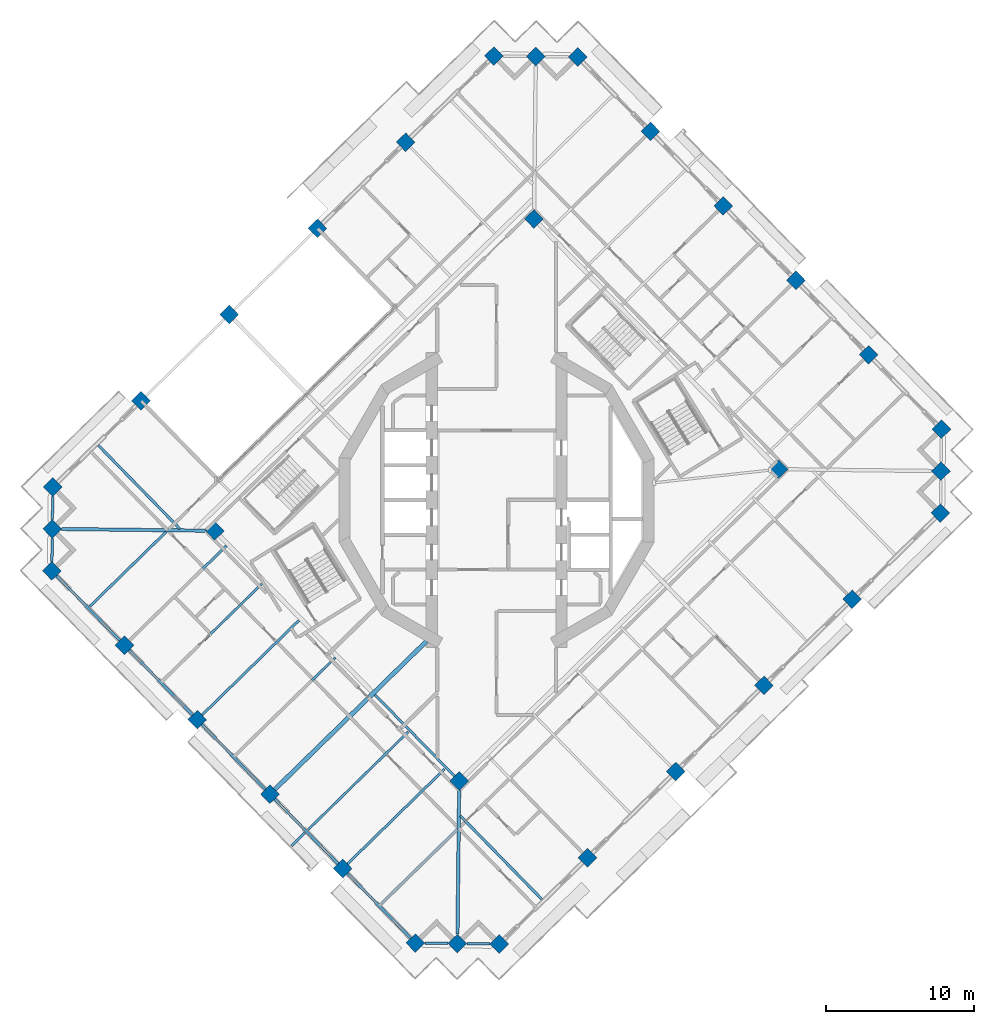
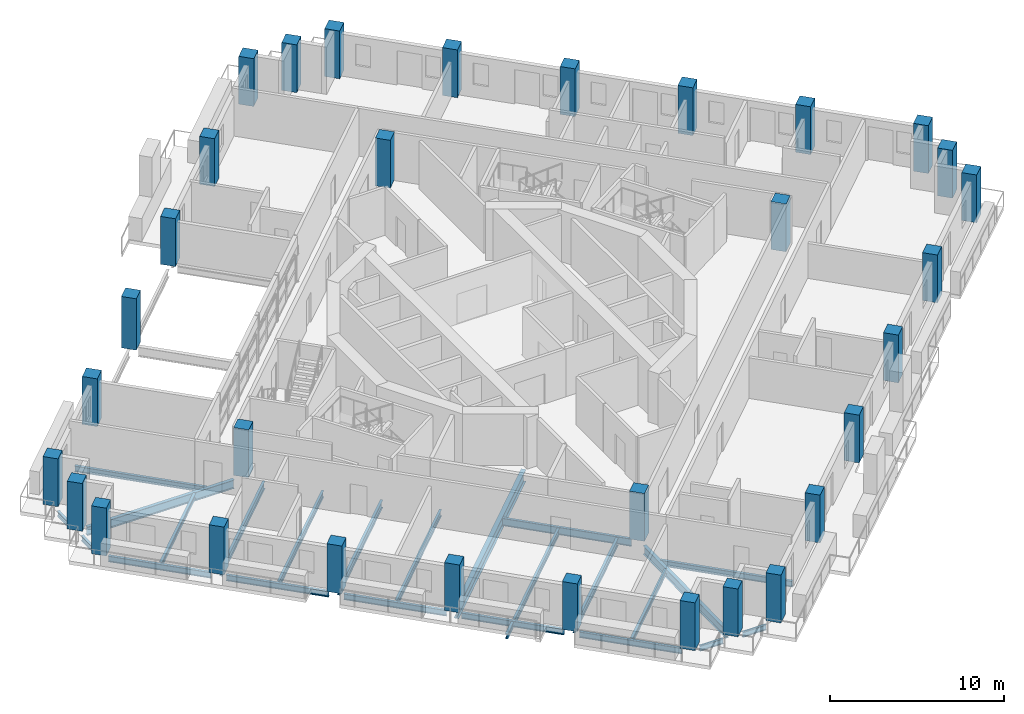
# One storey, part 1 of 21: 32 columns, 24 beams.
"""IFC4 building model written with IfcOpenShell, lengths in metres."""

from ifc_helpers import new_model, si_unit, direction, frame, origin, origin_2d, place, context, subcontext, project, spatial, rectangle, i_section, extrude, material, material_profile, profile_set, type_object, element, save


model = new_model("IFC4")

# Units and contexts
model_context = context("Model", 3, precision=1e-05, world=origin(), true_north=direction((0.0, 1.0)))
body_context = subcontext(model_context, "Body", "Model", "MODEL_VIEW")
ifc_project = project(units=[si_unit("LENGTHUNIT", "METRE"), si_unit("AREAUNIT", "SQUARE_METRE"), si_unit("VOLUMEUNIT", "CUBIC_METRE"), si_unit("PLANEANGLEUNIT", "RADIAN"), si_unit("MASSUNIT", "GRAM", prefix="KILO")], contexts=[model_context])

# Site, building, storey
site_placement = place(None, origin())
site = spatial("IfcSite", under=ifc_project, at=site_placement, CompositionType="ELEMENT")
building_placement = place(site_placement, origin())
building = spatial("IfcBuilding", under=site, at=building_placement, Name="Cantera Rosa Tower", CompositionType="ELEMENT")
storey_placement = place(building_placement, frame((0.0, 0.0, 234.199951171875)))
storey = spatial("IfcBuildingStorey", under=building, at=storey_placement, Name="L51", CompositionType="ELEMENT", Elevation=234.199951171875)

# Columns
ifc_material_1 = material(Name="Concrete C60/75", Category="concrete")
ifc_material_profile_1 = material_profile(ifc_material_1, rectangle(XDim=0.89990234375, YDim=0.89990234375, at=origin_2d()), Name="RC COLUMN RC900X900 C60/75")
ifc_profile_set_1 = profile_set([ifc_material_profile_1], Name="Concrete C60/75")
column_type_1 = type_object("IfcColumnType", Name="RC COLUMN RC900X900 C60/75", PredefinedType="COLUMN", material=ifc_profile_set_1)
for number, where, z_axis, x_axis, name in (
    (1, (30.003662109375, 4.77783203125, 0.0), (0.0, 0.0, 1.0), (0.71528629107, 0.698831540364, 0.0), "C-Z4-01 L51"),
    (2, (25.097900390625, 9.799072265625, 0.0), (0.0, 0.0, 1.0), (0.71528629107, 0.698831540364, 0.0), "C-Z4-02 L51"),
    (3, (20.19189453125, 14.8203125, 0.0), (0.0, 0.0, 1.0), (0.71528629107, 0.698831540364, 0.0), "C-Z4-03 L51"),
    (4, (15.2861328125, 19.841796875, 0.0), (0.0, 0.0, 1.0), (0.71528629107, 0.698831540364, 0.0), "C-Z4-04 L51"),
    (5, (10.38037109375, 24.863037109375, 0.0), (0.0, 0.0, 1.0), (0.71528629107, 0.698831540364, 0.0), "C-Z4-05 L51"),
    (6, (5.474609375, 29.88427734375, 0.0), (0.0, 0.0, 1.0), (0.71528629107, 0.698831540364, 0.0), "C-Z4-06 L51"),
    (7, (2.646484375, 29.917236328125, 0.0), (0.0, 0.0, 1.0), (0.71528629107, 0.698831540364, 0.0), "C-Z4-07 L51"),
    (8, (-0.181884765625, 29.9501953125, 0.0), (0.0, 0.0, 1.0), (0.71528629107, 0.698831540364, 0.0), "C-Z4-08 L51"),
    (9, (-6.133056640625, 24.1357421875, 0.0), (0.0, 0.0, 1.0), (0.71528629107, 0.698831540364, 0.0), "C-Z4-09 L51"),
    (10, (-12.084228515625, 18.321533203125, 0.0), (0.0, 0.0, 1.0), (0.71528629107, 0.698831540364, 0.0), "C-Z4-10 L51"),
):
    element("IfcColumn", number, at=place(storey_placement, frame(where, z_axis=z_axis, x_axis=x_axis)), inside=storey, type_object=column_type_1, Name=name, PredefinedType="COLUMN", context=body_context, shape_type="SweptSolid", body=[
        extrude(rectangle(XDim=0.89990234375, YDim=0.89990234375, at=origin_2d()), origin(), (0.0, 0.0, 1.0), 3.35009765625),
    ])
column_placement = place(storey_placement, frame((-18.035400390625, 12.50732421875, -0.25), z_axis=(0.0, 0.0, 1.0), x_axis=(0.71528629107, 0.698831540364, 0.0)))
element("IfcColumn", 11, at=column_placement, inside=storey, type_object=column_type_1, Name="C-Z4-11 L51", PredefinedType="COLUMN", context=body_context, shape_type="SweptSolid", body=[
    extrude(rectangle(XDim=0.89990234375, YDim=0.89990234375, at=origin_2d()), origin(), (0.0, 0.0, 1.0), 3.60009765625),
])
for number, where, z_axis, x_axis, name in (
    (12, (-23.986572265625, 6.693115234375, 0.0), (0.0, 0.0, 1.0), (0.71528629107, 0.698831540364, 0.0), "C-Z4-12 L51"),
    (13, (-29.937744140625, 0.878662109375, 0.0), (0.0, 0.0, 1.0), (0.71528629107, 0.698831540364, 0.0), "C-Z4-13 L51"),
    (14, (-29.970703125, -1.949462890625, 0.0), (0.0, 0.0, 1.0), (0.71528629107, 0.698831540364, 0.0), "C-Z4-14 L51"),
    (15, (-30.003662109375, -4.77783203125, 0.0), (0.0, 0.0, 1.0), (0.71528629107, 0.698831540364, 0.0), "C-Z4-15 L51"),
    (16, (-25.097900390625, -9.799072265625, 0.0), (0.0, 0.0, 1.0), (0.71528629107, 0.698831540364, 0.0), "C-Z4-16 L51"),
    (17, (-20.19189453125, -14.8203125, 0.0), (0.0, 0.0, 1.0), (0.71528629107, 0.698831540364, 0.0), "C-Z4-17 L51"),
    (18, (-15.2861328125, -19.841796875, 0.0), (0.0, 0.0, 1.0), (0.71528629107, 0.698831540364, 0.0), "C-Z4-18 L51"),
    (19, (-10.38037109375, -24.863037109375, 0.0), (0.0, 0.0, 1.0), (0.71528629107, 0.698831540364, 0.0), "C-Z4-19 L51"),
    (20, (-5.474609375, -29.88427734375, 0.0), (0.0, 0.0, 1.0), (0.71528629107, 0.698831540364, 0.0), "C-Z4-20 L51"),
    (21, (-2.646484375, -29.917236328125, 0.0), (0.0, 0.0, 1.0), (0.71528629107, 0.698831540364, 0.0), "C-Z4-21 L51"),
    (22, (0.181884765625, -29.9501953125, 0.0), (0.0, 0.0, 1.0), (0.71528629107, 0.698831540364, 0.0), "C-Z4-22 L51"),
    (23, (6.133056640625, -24.1357421875, 0.0), (0.0, 0.0, 1.0), (0.71528629107, 0.698831540364, 0.0), "C-Z4-23 L51"),
    (24, (12.084228515625, -18.321533203125, 0.0), (0.0, 0.0, 1.0), (0.71528629107, 0.698831540364, 0.0), "C-Z4-24 L51"),
    (25, (18.035400390625, -12.50732421875, 0.0), (0.0, 0.0, 1.0), (0.71528629107, 0.698831540364, 0.0), "C-Z4-25 L51"),
    (26, (23.986572265625, -6.693115234375, 0.0), (0.0, 0.0, 1.0), (0.71528629107, 0.698831540364, 0.0), "C-Z4-26 L51"),
    (27, (29.937744140625, -0.878662109375, 0.0), (0.0, 0.0, 1.0), (0.71528629107, 0.698831540364, 0.0), "C-Z4-27 L51"),
    (28, (29.970703125, 1.949462890625, 0.0), (0.0, 0.0, 1.0), (0.71528629107, 0.698831540364, 0.0), "C-Z4-28 L51"),
):
    element("IfcColumn", number, at=place(storey_placement, frame(where, z_axis=z_axis, x_axis=x_axis)), inside=storey, type_object=column_type_1, Name=name, PredefinedType="COLUMN", context=body_context, shape_type="SweptSolid", body=[
        extrude(rectangle(XDim=0.89990234375, YDim=0.89990234375, at=origin_2d()), origin(), (0.0, 0.0, 1.0), 3.35009765625),
    ])
ifc_material_2 = material(Name="Concrete C60/75", Category="concrete")
ifc_material_profile_2 = material_profile(ifc_material_2, rectangle(XDim=0.89990234375, YDim=0.89990234375, at=origin_2d()), Name="RC RING COLUMN RC900X900 C60/75")
ifc_profile_set_2 = profile_set([ifc_material_profile_2], Name="Concrete C60/75")
column_type_2 = type_object("IfcColumnType", Name="RC RING COLUMN RC900X900 C60/75", PredefinedType="COLUMN", material=ifc_profile_set_2)
for number, where, z_axis, x_axis, name in (
    (29, (2.518798828125, 18.957763671875, 0.0), (0.0, 0.0, 1.0), (0.71528629107, 0.698831540364, 0.0), "CI-Z4-1 L51"),
    (30, (-19.01123046875, -2.0771484375, 0.0), (0.0, 0.0, 1.0), (0.71528629107, 0.698831540364, 0.0), "CI-Z4-2 L51"),
    (31, (-2.518798828125, -18.957763671875, 0.0), (0.0, 0.0, 1.0), (0.71528629107, 0.698831540364, 0.0), "CI-Z4-3 L51"),
    (32, (19.01123046875, 2.0771484375, 0.0), (0.0, 0.0, 1.0), (0.71528629107, 0.698831540364, 0.0), "CI-Z4-4 L51"),
):
    element("IfcColumn", number, at=place(storey_placement, frame(where, z_axis=z_axis, x_axis=x_axis)), inside=storey, type_object=column_type_2, Name=name, PredefinedType="COLUMN", context=body_context, shape_type="SweptSolid", body=[
        extrude(rectangle(XDim=0.89990234375, YDim=0.89990234375, at=origin_2d()), origin(), (0.0, 0.0, 1.0), 3.35009765625),
    ])

# Beams
ifc_material_3 = material(Name="Steel ASTM A992 (Fy 345 MPa)", Category="steel")
ifc_material_profile_3 = material_profile(ifc_material_3, i_section(OverallWidth=0.166015625, OverallDepth=0.528076171875, WebThickness=0.009765625, FlangeThickness=0.013671875, FilletRadius=0.0126953125, at=origin_2d()), Name="W530X74")
ifc_profile_set_3 = profile_set([ifc_material_profile_3], Name="Steel ASTM A992 (Fy 345 MPa)")
beam_type_1 = type_object("IfcBeamType", Name="STEEL BEAM W530X74", PredefinedType="BEAM", material=ifc_profile_set_3)
for number, where, z_axis, x_axis, name in (
    (33, (-24.77587890625, -9.484619140625, -0.513916015625), (0.71529025682, 0.698827481213, 0.0), (-0.698827481213, 0.71529025682, 0.0), "G-Z4-13 L51"),
    (34, (-19.8701171875, -14.505859375, -0.513916015625), (0.71529025682, 0.698827481213, 0.0), (-0.698827481213, 0.71529025682, 0.0), "G-Z4-14 L51"),
    (35, (-10.05859375, -24.548583984375, -0.513916015625), (0.71529025682, 0.698827481213, 0.0), (-0.698827481213, 0.71529025682, 0.0), "G-Z4-16 L51"),
):
    element("IfcBeam", number, at=place(storey_placement, frame(where, z_axis=z_axis, x_axis=x_axis)), inside=storey, type_object=beam_type_1, Name=name, PredefinedType="BEAM", context=body_context, shape_type="SweptSolid", body=[
        extrude(i_section(OverallWidth=0.166015625, OverallDepth=0.528076171875, WebThickness=0.009765625, FlangeThickness=0.013671875, FilletRadius=0.0126953125, at=origin_2d()), origin(), (0.0, 0.0, 1.0), 9.14990234375),
    ])
beam_1_placement = place(storey_placement, frame((-2.833251953125, -18.635986328125, -0.513916015625), z_axis=(-0.698820376914, 0.71529719754, 0.0), x_axis=(-0.71529719754, -0.698820376914, 0.0)))
element("IfcBeam", 36, at=beam_1_placement, inside=storey, type_object=beam_type_1, Name="RB-Z4-06 L51", PredefinedType="BEAM", context=body_context, shape_type="SweptSolid", body=[
    extrude(i_section(OverallWidth=0.166015625, OverallDepth=0.528076171875, WebThickness=0.009765625, FlangeThickness=0.013671875, FilletRadius=0.0126953125, at=origin_2d()), origin(), (0.0, 0.0, 1.0), 7.690185546875),
])
ifc_material_4 = material(Name="Steel ASTM A992 (Fy 345 MPa)", Category="steel")
ifc_material_profile_4 = material_profile(ifc_material_4, i_section(OverallWidth=0.22802734375, OverallDepth=0.60205078125, WebThickness=0.010498046875, FlangeThickness=0.014892578125, FilletRadius=0.0126953125, at=origin_2d()), Name="W610X101")
ifc_profile_set_4 = profile_set([ifc_material_profile_4], Name="Steel ASTM A992 (Fy 345 MPa)")
beam_type_2 = type_object("IfcBeamType", Name="STEEL BEAM W610X101", PredefinedType="BEAM", material=ifc_profile_set_4)
for number, where, z_axis, x_axis, name in (
    (37, (-29.334228515625, -1.95703125, -0.551025390625), (0.999932504919, -0.011618330597, 0.0), (0.011618330597, 0.999932504919, 0.0), "CB-Z4-02 L51"),
    (38, (-2.638916015625, -29.28076171875, -0.551025390625), (0.011618330597, 0.999932504919, 0.0), (-0.999932504919, 0.011618330597, 0.0), "CB-Z4-03 L51"),
):
    element("IfcBeam", number, at=place(storey_placement, frame(where, z_axis=z_axis, x_axis=x_axis)), inside=storey, type_object=beam_type_2, Name=name, PredefinedType="BEAM", context=body_context, shape_type="SweptSolid", body=[
        extrude(i_section(OverallWidth=0.22802734375, OverallDepth=0.60205078125, WebThickness=0.010498046875, FlangeThickness=0.014892578125, FilletRadius=0.0126953125, at=origin_2d()), origin(), (0.0, 0.0, 1.0), 9.687255859375),
    ])
ifc_material_5 = material(Name="Steel ASTM A992 (Fy 345 MPa)", Category="steel")
ifc_material_profile_5 = material_profile(ifc_material_5, i_section(OverallWidth=0.2919921875, OverallDepth=0.8359375, WebThickness=0.013916015625, FlangeThickness=0.018798828125, FilletRadius=0.017822265625, at=origin_2d()), Name="W840X176")
ifc_profile_set_5 = profile_set([ifc_material_profile_5], Name="Steel ASTM A992 (Fy 345 MPa)")
beam_type_3 = type_object("IfcBeamType", Name="STEEL BEAM W840X176", PredefinedType="BEAM", material=ifc_profile_set_5)
beam_2_placement = place(storey_placement, frame((-14.96435546875, -19.527099609375, -0.66796875), z_axis=(0.715288446628, 0.698829334045, 0.0), x_axis=(-0.698829334045, 0.715288446628, 0.0)))
element("IfcBeam", 39, at=beam_2_placement, inside=storey, type_object=beam_type_3, Name="G-Z4-15 L51", PredefinedType="BEAM", context=body_context, shape_type="SweptSolid", body=[
    extrude(i_section(OverallWidth=0.2919921875, OverallDepth=0.8359375, WebThickness=0.013916015625, FlangeThickness=0.018798828125, FilletRadius=0.017822265625, at=origin_2d()), origin(), (0.0, 0.0, 1.0), 14.299072265625),
])
ifc_material_6 = material(Name="Steel ASTM A992 (Fy 345 MPa)", Category="steel")
ifc_material_profile_6 = material_profile(ifc_material_6, i_section(OverallWidth=0.1708984375, OverallDepth=0.35595703125, WebThickness=0.00732421875, FlangeThickness=0.01171875, FilletRadius=0.010009765625, at=origin_2d()), Name="W360X51")
ifc_profile_set_6 = profile_set([ifc_material_profile_6], Name="Steel ASTM A992 (Fy 345 MPa)")
beam_type_4 = type_object("IfcBeamType", Name="STEEL JOIST W360X51", PredefinedType="JOIST", material=ifc_profile_set_6)
for number, where, z_axis, x_axis, name in (
    (40, (-27.443359375, -7.18359375, -0.427978515625), (0.715287213552, 0.69883059616, 0.0), (-0.69883059616, 0.715287213552, 0.0), "B-Z4-16 L51"),
    (41, (-7.8203125, -27.268798828125, -0.427978515625), (0.715287213552, 0.69883059616, 0.0), (-0.69883059616, 0.715287213552, 0.0), "B-Z4-20 L51"),
):
    element("IfcBeam", number, at=place(storey_placement, frame(where, z_axis=z_axis, x_axis=x_axis)), inside=storey, type_object=beam_type_4, Name=name, PredefinedType="JOIST", context=body_context, shape_type="SweptSolid", body=[
        extrude(i_section(OverallWidth=0.1708984375, OverallDepth=0.35595703125, WebThickness=0.00732421875, FlangeThickness=0.01171875, FilletRadius=0.010009765625, at=origin_2d()), origin(), (0.0, 0.0, 1.0), 7.2099609375),
    ])
beam_3_placement = place(storey_placement, frame((-12.92626953125, -22.443115234375, -0.427978515625), z_axis=(-0.715266175044, -0.698852129451, 0.0), x_axis=(0.698852129451, -0.715266175044, 0.0)))
element("IfcBeam", 42, at=beam_3_placement, inside=storey, type_object=beam_type_4, Name="BS-Z4-16 L51", PredefinedType="JOIST", context=body_context, shape_type="SweptSolid", body=[
    extrude(i_section(OverallWidth=0.1708984375, OverallDepth=0.35595703125, WebThickness=0.00732421875, FlangeThickness=0.01171875, FilletRadius=0.010009765625, at=origin_2d()), origin(), (0.0, 0.0, 1.0), 1.26416015625),
])
ifc_material_7 = material(Name="Steel ASTM A992 (Fy 345 MPa)", Category="steel")
ifc_material_profile_7 = material_profile(ifc_material_7, i_section(OverallWidth=0.177978515625, OverallDepth=0.406005859375, WebThickness=0.0078125, FlangeThickness=0.0126953125, FilletRadius=0.01025390625, at=origin_2d()), Name="W410X60")
ifc_profile_set_7 = profile_set([ifc_material_profile_7], Name="Steel ASTM A992 (Fy 345 MPa)")
beam_type_5 = type_object("IfcBeamType", Name="STEEL JOIST W410X60", PredefinedType="JOIST", material=ifc_profile_set_7)
for number, where, z_axis, x_axis, name in (
    (43, (-26.857421875, 3.678466796875, -0.452880859375), (0.698843394481, -0.715274709458, 0.0), (0.715274709458, 0.698843394481, 0.0), "B-Z4-10 L51"),
    (44, (3.052734375, -26.935791015625, -0.452880859375), (-0.698827868311, 0.715289878631, 0.0), (-0.715289878631, -0.698827868311, 0.0), "B-Z4-11 L51"),
):
    element("IfcBeam", number, at=place(storey_placement, frame(where, z_axis=z_axis, x_axis=x_axis)), inside=storey, type_object=beam_type_5, Name=name, PredefinedType="JOIST", context=body_context, shape_type="SweptSolid", body=[
        extrude(i_section(OverallWidth=0.177978515625, OverallDepth=0.406005859375, WebThickness=0.0078125, FlangeThickness=0.0126953125, FilletRadius=0.01025390625, at=origin_2d()), origin(), (0.0, 0.0, 1.0), 7.860107421875),
    ])
ifc_material_8 = material(Name="Steel ASTM A992 (Fy 345 MPa)", Category="steel")
ifc_material_profile_8 = material_profile(ifc_material_8, i_section(OverallWidth=0.154052734375, OverallDepth=0.4599609375, WebThickness=0.009033203125, FlangeThickness=0.015380859375, FilletRadius=0.01025390625, at=origin_2d()), Name="W460X68")
ifc_profile_set_8 = profile_set([ifc_material_profile_8], Name="Steel ASTM A992 (Fy 345 MPa)")
beam_type_6 = type_object("IfcBeamType", Name="STEEL JOIST W460X68", PredefinedType="JOIST", material=ifc_profile_set_8)
for number, where, z_axis, x_axis, name in (
    (45, (-22.53759765625, -12.204833984375, -0.47998046875), (0.715287278354, 0.698830529832, 0.0), (-0.698830529832, 0.715287278354, 0.0), "B-Z4-17 L51"),
    (46, (-17.6318359375, -17.226318359375, -0.47998046875), (0.715287278354, 0.698830529832, 0.0), (-0.698830529832, 0.715287278354, 0.0), "B-Z4-18 L51"),
    (47, (-12.72607421875, -22.24755859375, -0.47998046875), (0.715287278354, 0.698830529832, 0.0), (-0.698830529832, 0.715287278354, 0.0), "B-Z4-19 L51"),
):
    element("IfcBeam", number, at=place(storey_placement, frame(where, z_axis=z_axis, x_axis=x_axis)), inside=storey, type_object=beam_type_6, Name=name, PredefinedType="JOIST", context=body_context, shape_type="SweptSolid", body=[
        extrude(i_section(OverallWidth=0.154052734375, OverallDepth=0.4599609375, WebThickness=0.009033203125, FlangeThickness=0.015380859375, FilletRadius=0.01025390625, at=origin_2d()), origin(), (0.0, 0.0, 1.0), 9.4501953125),
    ])
ifc_material_9 = material(Name="Steel ASTM A992 (Fy 345 MPa)", Category="steel")
ifc_material_profile_9 = material_profile(ifc_material_9, i_section(OverallWidth=0.1708984375, OverallDepth=0.35595703125, WebThickness=0.00732421875, FlangeThickness=0.01171875, FilletRadius=0.010009765625, at=origin_2d()), Name="W360X51")
ifc_profile_set_9 = profile_set([ifc_material_profile_9], Name="Steel ASTM A992 (Fy 345 MPa)")
beam_type_7 = type_object("IfcBeamType", Name="STEEL SPANDREL BEAM W360X51", PredefinedType="SPANDREL", material=ifc_profile_set_9)
beam_4_placement = place(storey_placement, frame((-29.945068359375, 0.242431640625, -0.427978515625), z_axis=(-0.011769429589, -0.999930737865, 0.0), x_axis=(0.999930737865, -0.011769429589, 0.0)))
element("IfcBeam", 48, at=beam_4_placement, inside=storey, type_object=beam_type_7, Name="EB-Z4-13 L51", PredefinedType="SPANDREL", context=body_context, shape_type="SweptSolid", body=[
    extrude(i_section(OverallWidth=0.1708984375, OverallDepth=0.35595703125, WebThickness=0.00732421875, FlangeThickness=0.01171875, FilletRadius=0.010009765625, at=origin_2d()), origin(), (0.0, 0.0, 1.0), 1.5556640625),
])
for number, where, z_axis, x_axis, name in (
    (49, (-29.97802734375, -2.5859375, -0.427978515625), (-0.011614347636, -0.99993255119, 0.0), (0.99993255119, -0.011614347636, 0.0), "EB-Z4-14 L51"),
    (50, (-4.838134765625, -29.8916015625, -0.427978515625), (0.999930716123, -0.011771276677, 0.0), (0.011771276677, 0.999930716123, 0.0), "EB-Z4-20 L51"),
    (51, (-2.010009765625, -29.924560546875, -0.427978515625), (0.99993255119, -0.011614347636, 0.0), (0.011614347636, 0.99993255119, 0.0), "EB-Z4-21 L51"),
):
    element("IfcBeam", number, at=place(storey_placement, frame(where, z_axis=z_axis, x_axis=x_axis)), inside=storey, type_object=beam_type_7, Name=name, PredefinedType="SPANDREL", context=body_context, shape_type="SweptSolid", body=[
        extrude(i_section(OverallWidth=0.1708984375, OverallDepth=0.35595703125, WebThickness=0.00732421875, FlangeThickness=0.01171875, FilletRadius=0.010009765625, at=origin_2d()), origin(), (0.0, 0.0, 1.0), 1.555419921875),
    ])
ifc_material_10 = material(Name="Steel ASTM A992 (Fy 345 MPa)", Category="steel")
ifc_material_profile_10 = material_profile(ifc_material_10, i_section(OverallWidth=0.177978515625, OverallDepth=0.406005859375, WebThickness=0.0078125, FlangeThickness=0.0126953125, FilletRadius=0.01025390625, at=origin_2d()), Name="W410X60")
ifc_profile_set_10 = profile_set([ifc_material_profile_10], Name="Steel ASTM A992 (Fy 345 MPa)")
beam_type_8 = type_object("IfcBeamType", Name="STEEL SPANDREL BEAM W410X60", PredefinedType="SPANDREL", material=ifc_profile_set_10)
beam_5_placement = place(storey_placement, frame((-29.689208984375, -5.099609375, -0.452880859375), z_axis=(0.69882117953, -0.715296413412, 0.0), x_axis=(0.715296413412, 0.69882117953, 0.0)))
element("IfcBeam", 52, at=beam_5_placement, inside=storey, type_object=beam_type_8, Name="EB-Z4-15 L51", PredefinedType="SPANDREL", context=body_context, shape_type="SweptSolid", body=[
    extrude(i_section(OverallWidth=0.177978515625, OverallDepth=0.406005859375, WebThickness=0.0078125, FlangeThickness=0.0126953125, FilletRadius=0.01025390625, at=origin_2d()), origin(), (0.0, 0.0, 1.0), 6.1201171875),
])
for number, where, z_axis, x_axis, name in (
    (53, (-24.783203125, -10.120849609375, -0.452880859375), (0.698800768177, -0.715316354067, 0.0), (0.715316354067, 0.698800768177, 0.0), "EB-Z4-16 L51"),
    (54, (-19.87744140625, -15.142333984375, -0.452880859375), (0.698841120217, -0.71527693147, 0.0), (0.71527693147, 0.698841120217, 0.0), "EB-Z4-17 L51"),
    (55, (-14.9716796875, -20.16357421875, -0.452880859375), (0.698841120217, -0.71527693147, 0.0), (0.71527693147, 0.698841120217, 0.0), "EB-Z4-18 L51"),
):
    element("IfcBeam", number, at=place(storey_placement, frame(where, z_axis=z_axis, x_axis=x_axis)), inside=storey, type_object=beam_type_8, Name=name, PredefinedType="SPANDREL", context=body_context, shape_type="SweptSolid", body=[
        extrude(i_section(OverallWidth=0.177978515625, OverallDepth=0.406005859375, WebThickness=0.0078125, FlangeThickness=0.0126953125, FilletRadius=0.01025390625, at=origin_2d()), origin(), (0.0, 0.0, 1.0), 6.119873046875),
    ])
beam_6_placement = place(storey_placement, frame((-10.06591796875, -25.184814453125, -0.452880859375), z_axis=(0.69882117953, -0.715296413412, 0.0), x_axis=(0.715296413412, 0.69882117953, 0.0)))
element("IfcBeam", 56, at=beam_6_placement, inside=storey, type_object=beam_type_8, Name="EB-Z4-19 L51", PredefinedType="SPANDREL", context=body_context, shape_type="SweptSolid", body=[
    extrude(i_section(OverallWidth=0.177978515625, OverallDepth=0.406005859375, WebThickness=0.0078125, FlangeThickness=0.0126953125, FilletRadius=0.01025390625, at=origin_2d()), origin(), (0.0, 0.0, 1.0), 6.1201171875),
])

save(model, "model.ifc")
